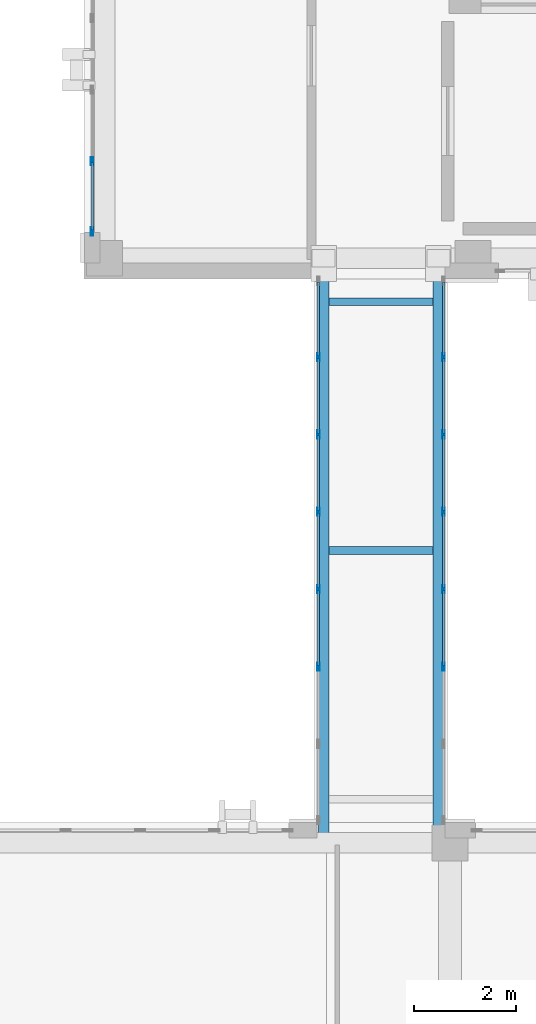
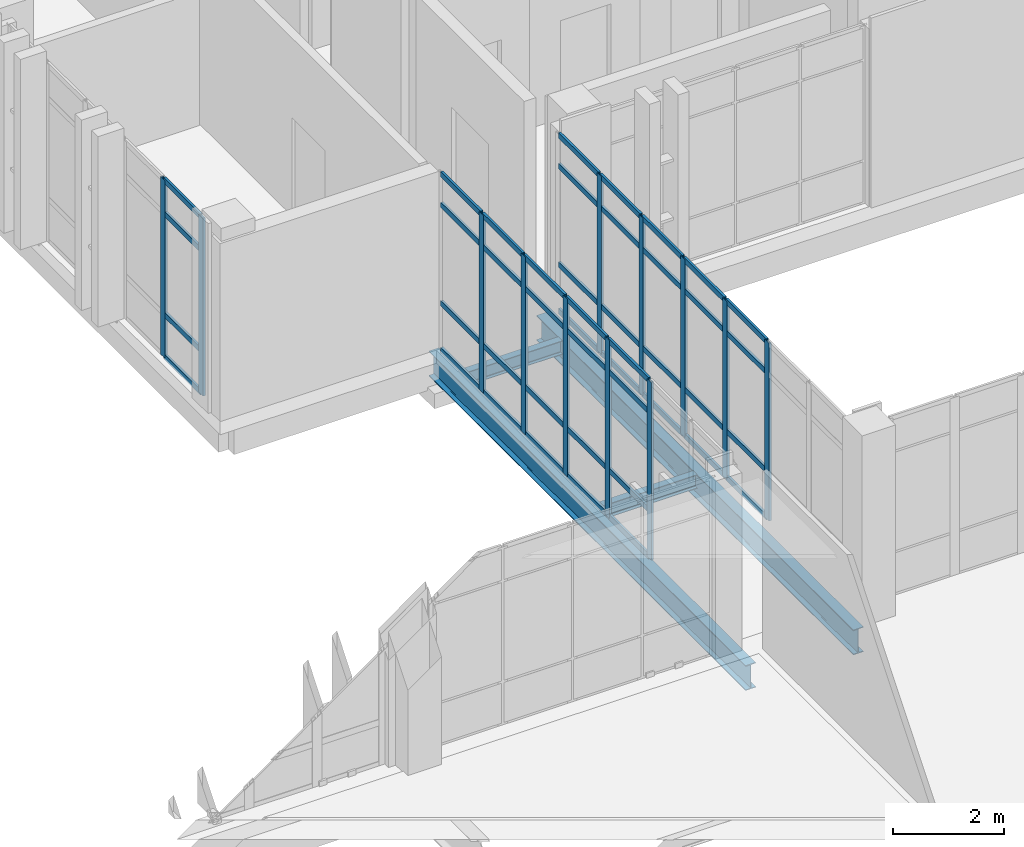
# One storey, part 59 of 193: 56 members, 4 beams, 3 elements without a shape of their own.
"""IFC4 building model written with IfcOpenShell, lengths in metres."""

import ifcopenshell
import ifcopenshell.guid

model = None  # the IFC model being written
_history = None  # IfcOwnerHistory: only IFC2X3 demands one
_inside = {}  # id of a spatial element -> (the spatial element, [elements in it])
_under = {}  # id of a project, library or spatial element -> (it, [spatial elements below it])
_declared = {}  # id of a project -> (the project, [libraries it declares])
_typed = {}  # id of a type object -> (the type object, [elements of that type])
_made_of = {}  # id of a material, layer set ... -> (it, [elements and type objects made of it])


def new_model(schema):
    """Start an empty IFC model of exactly this schema.

    Asked for "IFC4X3", IfcOpenShell would pick the latest addendum, in which some entities
    have other attributes; the version numbers below select the first issue.
    IFC2X3 requires an IfcOwnerHistory on every rooted entity: one is made here for all.
    """
    global model, _history
    if schema == "IFC4X3":
        model = ifcopenshell.file(schema_version=(4, 3, 0, 0))
    else:
        model = ifcopenshell.file(schema=schema)
    _inside.clear()
    _under.clear()
    _declared.clear()
    _typed.clear()
    _made_of.clear()
    _history = None
    if model.schema == "IFC2X3":
        org = make("IfcOrganization", Name="unknown")
        user = make(
            "IfcPersonAndOrganization",
            ThePerson=make("IfcPerson", FamilyName="unknown"),
            TheOrganization=org,
        )
        app = make(
            "IfcApplication",
            ApplicationDeveloper=org,
            Version="unknown",
            ApplicationFullName="unknown",
            ApplicationIdentifier="unknown",
        )
        _history = make(
            "IfcOwnerHistory",
            OwningUser=user,
            OwningApplication=app,
            ChangeAction="ADDED",
            CreationDate=0,
        )
    return model


def make(cls, **values):
    """One entity of the class cls with the attributes given. An attribute that is None is left unset."""
    return model.create_entity(
        cls, **{name: value for name, value in values.items() if value is not None}
    )


def rooted(cls, **values):
    """An entity with a GlobalId (a new one), such as an element, a storey or a relation."""
    return make(cls, GlobalId=ifcopenshell.guid.new(), OwnerHistory=_history, **values)


def si_unit(unit_type, name, prefix=None):
    """IfcSIUnit, for example si_unit("LENGTHUNIT", "METRE", prefix="MILLI")."""
    return make("IfcSIUnit", UnitType=unit_type, Prefix=prefix, Name=name)


def assignment(units):
    """IfcUnitAssignment: the units of a project."""
    return None if units is None else make("IfcUnitAssignment", Units=units)


def point(xyz):
    """IfcCartesianPoint."""
    return None if xyz is None else make("IfcCartesianPoint", Coordinates=xyz)


def direction(xyz):
    """IfcDirection."""
    return None if xyz is None else make("IfcDirection", DirectionRatios=xyz)


def frame(location, z_axis=None, x_axis=None):
    """IfcAxis2Placement3D, a coordinate frame: its origin and axes. An axis left out is left unset."""
    return make(
        "IfcAxis2Placement3D",
        Location=point(location),
        Axis=direction(z_axis),
        RefDirection=direction(x_axis),
    )


def frame_2d(location, x_axis=None):
    """IfcAxis2Placement2D, a coordinate frame in the plane: its origin and x axis."""
    return make(
        "IfcAxis2Placement2D", Location=point(location), RefDirection=direction(x_axis)
    )


def origin():
    """The frame at (0, 0, 0) with its axes left unset."""
    return frame((0.0, 0.0, 0.0))


def origin_2d():
    """The frame at (0, 0) in the plane with its x axis left unset."""
    return frame_2d((0.0, 0.0))


def place(relative_to, where):
    """IfcLocalPlacement: puts the frame where relative to a parent placement (None: the world)."""
    return make(
        "IfcLocalPlacement", PlacementRelTo=relative_to, RelativePlacement=where
    )


def context(
    kind, dimensions, precision=None, world=None, true_north=None, identifier=None
):
    """IfcGeometricRepresentationContext, for example the 3D "Model" context."""
    return make(
        "IfcGeometricRepresentationContext",
        ContextIdentifier=identifier,
        ContextType=kind,
        CoordinateSpaceDimension=dimensions,
        Precision=precision,
        WorldCoordinateSystem=world,
        TrueNorth=true_north,
    )


def subcontext(parent, identifier, kind, view, scale=None):
    """IfcGeometricRepresentationSubContext, for example "Body" below "Model"."""
    return make(
        "IfcGeometricRepresentationSubContext",
        ContextIdentifier=identifier,
        ContextType=kind,
        ParentContext=parent,
        TargetScale=scale,
        TargetView=view,
    )


def project(units=None, contexts=None):
    """IfcProject with its units and contexts."""
    return rooted(
        "IfcProject",
        Name="project",
        RepresentationContexts=contexts,
        UnitsInContext=assignment(units),
    )


def spatial(cls, under=None, at=None, **own):
    """A site, building, storey or space (cls), placed at a placement, below another one or the project."""
    s = rooted(cls, ObjectPlacement=at, **own)
    if under is not None:
        _under.setdefault(under.id(), (under, []))[1].append(s)
    return s


def profile(cls, at=None, kind="AREA", **sizes):
    """A parametric profile (cls). Its sizes go by their IFC names, for example OverallWidth=200.0."""
    return make(cls, ProfileType=kind, Position=at, **sizes)


def hollow_rectangle(**sizes):
    """IfcRectangleHollowProfileDef."""
    return profile("IfcRectangleHollowProfileDef", **sizes)


def i_section(**sizes):
    """IfcIShapeProfileDef."""
    return profile("IfcIShapeProfileDef", **sizes)


def extrude(swept, where, along, depth):
    """IfcExtrudedAreaSolid: the profile swept, set in the frame where, extruded along a direction by depth."""
    return make(
        "IfcExtrudedAreaSolid",
        SweptArea=swept,
        Position=where,
        ExtrudedDirection=direction(along),
        Depth=depth,
    )


def shape(context_of_items, identifier, shape_type, items):
    """IfcShapeRepresentation: the items that make up one representation, for example the "Body"."""
    return make(
        "IfcShapeRepresentation",
        ContextOfItems=context_of_items,
        RepresentationIdentifier=identifier,
        RepresentationType=shape_type,
        Items=items,
    )


def material(Name=None, Category=None):
    """IfcMaterial."""
    return make("IfcMaterial", Name=Name, Category=Category)


def layer(
    of_material, thickness, ventilated=None, Name=None, Category=None, Priority=None
):
    """IfcMaterialLayer: one layer of a wall or slab, of a material (None: an air gap)."""
    return make(
        "IfcMaterialLayer",
        Material=of_material,
        LayerThickness=thickness,
        IsVentilated=ventilated,
        Name=Name,
        Category=Category,
        Priority=Priority,
    )


def layer_set(layers, Name=None):
    """IfcMaterialLayerSet."""
    return make("IfcMaterialLayerSet", MaterialLayers=layers, LayerSetName=Name)


def material_profile(
    of_material, cross_section, Name=None, Category=None, Priority=None
):
    """IfcMaterialProfile: a cross section and its material."""
    return make(
        "IfcMaterialProfile",
        Name=Name,
        Material=of_material,
        Profile=cross_section,
        Priority=Priority,
        Category=Category,
    )


def profile_set(profiles, Name=None, composite=None):
    """IfcMaterialProfileSet."""
    return make(
        "IfcMaterialProfileSet",
        Name=Name,
        MaterialProfiles=profiles,
        CompositeProfile=composite,
    )


def made_of(thing, what):
    """Note that an element or type object is made of a material, layer set ...; save() writes the relation."""
    if what is not None:
        _made_of.setdefault(what.id(), (what, []))[1].append(thing)
    return thing


def type_object(cls, material=None, **own):
    """A type object (cls), such as IfcWallType, which elements share."""
    return made_of(rooted(cls, **own), material)


def element(
    cls,
    number,
    at=None,
    inside=None,
    cuts=None,
    type_object=None,
    material=None,
    context=None,
    identifier="Body",
    shape_type=None,
    held_by="IfcProductDefinitionShape",
    body=None,
    shapes=None,
    **own,
):
    """One element of the class cls, such as IfcWall. Its Tag is "e" and its number.

    at: its placement. inside: the storey or other place that contains it. cuts: it is an
    opening in that element (IfcRelVoidsElement). A single representation is given by context,
    identifier, shape_type and body (its items); several are given by shapes. held_by: the class
    of the entity that holds the representations. save() writes the other relations.
    """
    e = rooted(cls, Tag="e%d" % number, ObjectPlacement=at, **own)
    if body is not None:
        shapes = [shape(context, identifier, shape_type, body)]
    if shapes is not None:
        e.Representation = make(held_by, Representations=shapes)
    if inside is not None:
        _inside.setdefault(inside.id(), (inside, []))[1].append(e)
    if cuts is not None:
        rooted(
            "IfcRelVoidsElement", RelatingBuildingElement=cuts, RelatedOpeningElement=e
        )
    if type_object is not None:
        _typed.setdefault(type_object.id(), (type_object, []))[1].append(e)
    return made_of(e, material)


def aggregate(whole, parts):
    """IfcRelAggregates: a whole, such as a stair, and the parts it consists of."""
    return rooted("IfcRelAggregates", RelatingObject=whole, RelatedObjects=parts)


def save(model, path):
    """Write the relations noted so far, then the file.

    IfcRelAggregates (storeys below a building ...), IfcRelContainedInSpatialStructure (elements
    in a storey), IfcRelDefinesByType, IfcRelAssociatesMaterial and IfcRelDeclares: one each for
    every whole, place, type object, material and project.
    """
    for whole, parts in _under.values():
        aggregate(whole, parts)
    for where, things in _inside.values():
        rooted(
            "IfcRelContainedInSpatialStructure",
            RelatedElements=things,
            RelatingStructure=where,
        )
    for kind, things in _typed.values():
        rooted("IfcRelDefinesByType", RelatedObjects=things, RelatingType=kind)
    for what, things in _made_of.values():
        rooted("IfcRelAssociatesMaterial", RelatedObjects=things, RelatingMaterial=what)
    for by, libraries in _declared.values():
        rooted("IfcRelDeclares", RelatingContext=by, RelatedDefinitions=libraries)
    model.write(path)


model = new_model("IFC4")

# Units and contexts
model_context = context("Model", 3, precision=1e-05, world=origin(), true_north=direction((0.0, 1.0)))
body_context = subcontext(model_context, "Body", "Model", "MODEL_VIEW")
ifc_project = project(units=[si_unit("LENGTHUNIT", "METRE"), si_unit("AREAUNIT", "SQUARE_METRE"), si_unit("VOLUMEUNIT", "CUBIC_METRE"), si_unit("PLANEANGLEUNIT", "RADIAN"), si_unit("MASSUNIT", "GRAM", prefix="KILO")], contexts=[model_context])

# Site, building, storey
site_placement = place(None, origin())
site = spatial("IfcSite", under=ifc_project, at=site_placement, CompositionType="ELEMENT")
building_placement = place(site_placement, origin())
building = spatial("IfcBuilding", under=site, at=building_placement, Name="Qalavern Law Courts", CompositionType="ELEMENT")
storey_placement = place(building_placement, frame((0.0, 0.0, 10.199951171875)))
storey = spatial("IfcBuildingStorey", under=building, at=storey_placement, Name="L02", CompositionType="ELEMENT", Elevation=10.199951171875)

# Curtain wall, members
ifc_material_1 = material(Name="Anodised aluminium and insulated glazing", Category="aluminium")
ifc_layer_1 = layer(ifc_material_1, 0.172119140625)
ifc_layer_set_1 = layer_set([ifc_layer_1], Name="Anodised aluminium and insulated glazing")
curtain_wall_type_1 = type_object("IfcCurtainWallType", Name="ENV-CW-COURT", PredefinedType="USERDEFINED", material=ifc_layer_set_1)
curtain_wall_1_placement = place(storey_placement, origin())
curtain_wall_1 = element("IfcCurtainWall", 1, at=curtain_wall_1_placement, inside=storey, type_object=curtain_wall_type_1, Name="V4 unitised curtain wall L02 west 6", ObjectType="UNITISED CURTAIN WALL", PredefinedType="USERDEFINED")
ifc_material_2 = material(Name="Anodised aluminium", Category="aluminium")
ifc_material_profile_1 = material_profile(ifc_material_2, hollow_rectangle(XDim=0.048095703125, YDim=0.159912109375, WallThickness=0.00390625, at=origin_2d()), Name="ALU MULLION 48x160")
ifc_profile_set_1 = profile_set([ifc_material_profile_1], Name="Anodised aluminium")
member_type_1 = type_object("IfcMemberType", Name="ENV-CWM-48x160", PredefinedType="MULLION", material=ifc_profile_set_1)
member_1_placement = place(storey_placement, frame((84.35498046875, 43.31591796875, 0.0), z_axis=(0.0, 0.0, 1.0), x_axis=(1.0, 0.0, 0.0)))
member_1 = element("IfcMember", 2, at=member_1_placement, type_object=member_type_1, Name="CW-03 mullion 5", PredefinedType="MULLION", context=body_context, shape_type="SweptSolid", body=[
    extrude(hollow_rectangle(XDim=0.048095703125, YDim=0.159912109375, WallThickness=0.00390625, at=origin_2d()), origin(), (0.0, 0.0, 1.0), 3.9150390625),
])
member_2_placement = place(storey_placement, frame((84.35498046875, 41.944091796875, 0.0), z_axis=(0.0, 0.0, 1.0), x_axis=(1.0, 0.0, 0.0)))
member_2 = element("IfcMember", 3, at=member_2_placement, type_object=member_type_1, Name="CW-03 mullion 6", PredefinedType="MULLION", context=body_context, shape_type="SweptSolid", body=[
    extrude(hollow_rectangle(XDim=0.048095703125, YDim=0.159912109375, WallThickness=0.00390625, at=origin_2d()), origin(), (0.0, 0.0, 1.0), 3.9150390625),
])

ifc_layer_2 = layer(ifc_material_1, 0.14990234375)
ifc_layer_set_2 = layer_set([ifc_layer_2], Name="Anodised aluminium and insulated glazing")
curtain_wall_type_2 = type_object("IfcCurtainWallType", Name="ENV-CW-BRG", PredefinedType="USERDEFINED", material=ifc_layer_set_2)
curtain_wall_2_placement = place(storey_placement, origin())
curtain_wall_2 = element("IfcCurtainWall", 4, at=curtain_wall_2_placement, inside=storey, type_object=curtain_wall_type_2, Name="Bridge BR-V2-V4 glazed curtain wall L02-1", ObjectType="UNITISED CURTAIN WALL", PredefinedType="USERDEFINED")
member_3_placement = place(storey_placement, frame((88.77490234375, 39.488525390625, 0.0), z_axis=(0.0, 0.0, 1.0), x_axis=(1.0, 0.0, 0.0)))
member_3 = element("IfcMember", 5, at=member_3_placement, type_object=member_type_1, Name="CW-06 mullion 2", PredefinedType="MULLION", context=body_context, shape_type="SweptSolid", body=[
    extrude(hollow_rectangle(XDim=0.048095703125, YDim=0.159912109375, WallThickness=0.00390625, at=origin_2d()), origin(), (0.0, 0.0, 1.0), 3.9150390625),
])
member_4_placement = place(storey_placement, frame((88.77490234375, 37.97705078125, 0.0), z_axis=(0.0, 0.0, 1.0), x_axis=(1.0, 0.0, 0.0)))
member_4 = element("IfcMember", 6, at=member_4_placement, type_object=member_type_1, Name="CW-06 mullion 3", PredefinedType="MULLION", context=body_context, shape_type="SweptSolid", body=[
    extrude(hollow_rectangle(XDim=0.048095703125, YDim=0.159912109375, WallThickness=0.00390625, at=origin_2d()), origin(), (0.0, 0.0, 1.0), 3.9150390625),
])
member_5_placement = place(storey_placement, frame((88.77490234375, 36.4658203125, 0.0), z_axis=(0.0, 0.0, 1.0), x_axis=(1.0, 0.0, 0.0)))
member_5 = element("IfcMember", 7, at=member_5_placement, type_object=member_type_1, Name="CW-06 mullion 4", PredefinedType="MULLION", context=body_context, shape_type="SweptSolid", body=[
    extrude(hollow_rectangle(XDim=0.048095703125, YDim=0.159912109375, WallThickness=0.00390625, at=origin_2d()), origin(), (0.0, 0.0, 1.0), 3.9150390625),
])
member_6_placement = place(storey_placement, frame((88.77490234375, 34.954345703125, 0.0), z_axis=(0.0, 0.0, 1.0), x_axis=(1.0, 0.0, 0.0)))
member_6 = element("IfcMember", 8, at=member_6_placement, type_object=member_type_1, Name="CW-06 mullion 5", PredefinedType="MULLION", context=body_context, shape_type="SweptSolid", body=[
    extrude(hollow_rectangle(XDim=0.048095703125, YDim=0.159912109375, WallThickness=0.00390625, at=origin_2d()), origin(), (0.0, 0.0, 1.0), 3.9150390625),
])
member_7_placement = place(storey_placement, frame((88.77490234375, 33.44287109375, 0.0), z_axis=(0.0, 0.0, 1.0), x_axis=(1.0, 0.0, 0.0)))
member_7 = element("IfcMember", 9, at=member_7_placement, type_object=member_type_1, Name="CW-06 mullion 6", PredefinedType="MULLION", context=body_context, shape_type="SweptSolid", body=[
    extrude(hollow_rectangle(XDim=0.048095703125, YDim=0.159912109375, WallThickness=0.00390625, at=origin_2d()), origin(), (0.0, 0.0, 1.0), 3.9150390625),
])

curtain_wall_3_placement = place(storey_placement, origin())
curtain_wall_3 = element("IfcCurtainWall", 10, at=curtain_wall_3_placement, inside=storey, type_object=curtain_wall_type_2, Name="Bridge BR-V2-V4 glazed curtain wall L02-2", ObjectType="UNITISED CURTAIN WALL", PredefinedType="USERDEFINED")
member_8_placement = place(storey_placement, frame((91.22509765625, 33.44287109375, 0.0), z_axis=(0.0, 0.0, 1.0), x_axis=(-1.0, 0.0, 0.0)))
member_8 = element("IfcMember", 11, at=member_8_placement, type_object=member_type_1, Name="CW-06 mullion 3", PredefinedType="MULLION", context=body_context, shape_type="SweptSolid", body=[
    extrude(hollow_rectangle(XDim=0.048095703125, YDim=0.159912109375, WallThickness=0.00390625, at=origin_2d()), origin(), (0.0, 0.0, 1.0), 3.9150390625),
])
member_9_placement = place(storey_placement, frame((91.22509765625, 34.954345703125, 0.0), z_axis=(0.0, 0.0, 1.0), x_axis=(-1.0, 0.0, 0.0)))
member_9 = element("IfcMember", 12, at=member_9_placement, type_object=member_type_1, Name="CW-06 mullion 4", PredefinedType="MULLION", context=body_context, shape_type="SweptSolid", body=[
    extrude(hollow_rectangle(XDim=0.048095703125, YDim=0.159912109375, WallThickness=0.00390625, at=origin_2d()), origin(), (0.0, 0.0, 1.0), 3.9150390625),
])
member_10_placement = place(storey_placement, frame((91.22509765625, 36.4658203125, 0.0), z_axis=(0.0, 0.0, 1.0), x_axis=(-1.0, 0.0, 0.0)))
member_10 = element("IfcMember", 13, at=member_10_placement, type_object=member_type_1, Name="CW-06 mullion 5", PredefinedType="MULLION", context=body_context, shape_type="SweptSolid", body=[
    extrude(hollow_rectangle(XDim=0.048095703125, YDim=0.159912109375, WallThickness=0.00390625, at=origin_2d()), origin(), (0.0, 0.0, 1.0), 3.9150390625),
])
member_11_placement = place(storey_placement, frame((91.22509765625, 37.97705078125, 0.0), z_axis=(0.0, 0.0, 1.0), x_axis=(-1.0, 0.0, 0.0)))
member_11 = element("IfcMember", 14, at=member_11_placement, type_object=member_type_1, Name="CW-06 mullion 6", PredefinedType="MULLION", context=body_context, shape_type="SweptSolid", body=[
    extrude(hollow_rectangle(XDim=0.048095703125, YDim=0.159912109375, WallThickness=0.00390625, at=origin_2d()), origin(), (0.0, 0.0, 1.0), 3.9150390625),
])
member_12_placement = place(storey_placement, frame((91.22509765625, 39.488525390625, 0.0), z_axis=(0.0, 0.0, 1.0), x_axis=(-1.0, 0.0, 0.0)))
member_12 = element("IfcMember", 15, at=member_12_placement, type_object=member_type_1, Name="CW-06 mullion 7", PredefinedType="MULLION", context=body_context, shape_type="SweptSolid", body=[
    extrude(hollow_rectangle(XDim=0.048095703125, YDim=0.159912109375, WallThickness=0.00390625, at=origin_2d()), origin(), (0.0, 0.0, 1.0), 3.9150390625),
])

# Member
ifc_material_profile_2 = material_profile(ifc_material_2, hollow_rectangle(XDim=0.048095703125, YDim=0.1201171875, WallThickness=0.00390625, at=origin_2d()), Name="ALU TRANSOM 48x120")
ifc_profile_set_2 = profile_set([ifc_material_profile_2], Name="Anodised aluminium")
member_type_2 = type_object("IfcMemberType", Name="ENV-CWT-48x120", PredefinedType="USERDEFINED", material=ifc_profile_set_2)
member_13_placement = place(storey_placement, frame((84.35498046875, 43.2919921875, 0.024169921875), z_axis=(0.0, -1.0, 0.0), x_axis=(1.0, 0.0, 0.0)))
member_13 = element("IfcMember", 16, at=member_13_placement, type_object=member_type_2, Name="CW-03 transom 5.1", ObjectType="TRANSOM", PredefinedType="USERDEFINED", context=body_context, shape_type="SweptSolid", body=[
    extrude(hollow_rectangle(XDim=0.048095703125, YDim=0.1201171875, WallThickness=0.00390625, at=origin_2d()), origin(), (0.0, 0.0, 1.0), 1.323974609375),
])

member_14_placement = place(storey_placement, frame((84.35498046875, 43.2919921875, 0.949951171875), z_axis=(0.0, -1.0, 0.0), x_axis=(1.0, 0.0, 0.0)))
member_14 = element("IfcMember", 17, at=member_14_placement, type_object=member_type_2, Name="CW-03 transom 5.2", ObjectType="TRANSOM", PredefinedType="USERDEFINED", context=body_context, shape_type="SweptSolid", body=[
    extrude(hollow_rectangle(XDim=0.048095703125, YDim=0.1201171875, WallThickness=0.00390625, at=origin_2d()), origin(), (0.0, 0.0, 1.0), 1.323974609375),
])

member_15_placement = place(storey_placement, frame((84.35498046875, 43.2919921875, 3.1650390625), z_axis=(0.0, -1.0, 0.0), x_axis=(1.0, 0.0, 0.0)))
member_15 = element("IfcMember", 18, at=member_15_placement, type_object=member_type_2, Name="CW-03 transom 5.3", ObjectType="TRANSOM", PredefinedType="USERDEFINED", context=body_context, shape_type="SweptSolid", body=[
    extrude(hollow_rectangle(XDim=0.048095703125, YDim=0.1201171875, WallThickness=0.00390625, at=origin_2d()), origin(), (0.0, 0.0, 1.0), 1.323974609375),
])

member_16_placement = place(storey_placement, frame((84.35498046875, 43.2919921875, 3.89111328125), z_axis=(0.0, -1.0, 0.0), x_axis=(1.0, 0.0, 0.0)))
member_16 = element("IfcMember", 19, at=member_16_placement, type_object=member_type_2, Name="CW-03 transom 5.4", ObjectType="TRANSOM", PredefinedType="USERDEFINED", context=body_context, shape_type="SweptSolid", body=[
    extrude(hollow_rectangle(XDim=0.048095703125, YDim=0.1201171875, WallThickness=0.00390625, at=origin_2d()), origin(), (0.0, 0.0, 1.0), 1.323974609375),
])

aggregate(curtain_wall_1, [member_1, member_2, member_13, member_14, member_15, member_16])

member_17_placement = place(storey_placement, frame((88.77490234375, 40.951904296875, 0.024169921875), z_axis=(0.0, -1.0, 0.0), x_axis=(1.0, 0.0, 0.0)))
member_17 = element("IfcMember", 20, at=member_17_placement, type_object=member_type_2, Name="CW-06 transom 1.1", ObjectType="TRANSOM", PredefinedType="USERDEFINED", context=body_context, shape_type="SweptSolid", body=[
    extrude(hollow_rectangle(XDim=0.048095703125, YDim=0.1201171875, WallThickness=0.00390625, at=origin_2d()), origin(), (0.0, 0.0, 1.0), 1.439453125),
])

member_18_placement = place(storey_placement, frame((88.77490234375, 40.951904296875, 1.050048828125), z_axis=(0.0, -1.0, 0.0), x_axis=(1.0, 0.0, 0.0)))
member_18 = element("IfcMember", 21, at=member_18_placement, type_object=member_type_2, Name="CW-06 transom 1.2", ObjectType="TRANSOM", PredefinedType="USERDEFINED", context=body_context, shape_type="SweptSolid", body=[
    extrude(hollow_rectangle(XDim=0.048095703125, YDim=0.1201171875, WallThickness=0.00390625, at=origin_2d()), origin(), (0.0, 0.0, 1.0), 1.439453125),
])

member_19_placement = place(storey_placement, frame((88.77490234375, 40.951904296875, 3.215087890625), z_axis=(0.0, -1.0, 0.0), x_axis=(1.0, 0.0, 0.0)))
member_19 = element("IfcMember", 22, at=member_19_placement, type_object=member_type_2, Name="CW-06 transom 1.3", ObjectType="TRANSOM", PredefinedType="USERDEFINED", context=body_context, shape_type="SweptSolid", body=[
    extrude(hollow_rectangle(XDim=0.048095703125, YDim=0.1201171875, WallThickness=0.00390625, at=origin_2d()), origin(), (0.0, 0.0, 1.0), 1.439453125),
])

member_20_placement = place(storey_placement, frame((88.77490234375, 40.951904296875, 3.89111328125), z_axis=(0.0, -1.0, 0.0), x_axis=(1.0, 0.0, 0.0)))
member_20 = element("IfcMember", 23, at=member_20_placement, type_object=member_type_2, Name="CW-06 transom 1.4", ObjectType="TRANSOM", PredefinedType="USERDEFINED", context=body_context, shape_type="SweptSolid", body=[
    extrude(hollow_rectangle(XDim=0.048095703125, YDim=0.1201171875, WallThickness=0.00390625, at=origin_2d()), origin(), (0.0, 0.0, 1.0), 1.439453125),
])

member_21_placement = place(storey_placement, frame((88.77490234375, 39.464599609375, 0.024169921875), z_axis=(0.0, -1.0, 0.0), x_axis=(1.0, 0.0, 0.0)))
member_21 = element("IfcMember", 24, at=member_21_placement, type_object=member_type_2, Name="CW-06 transom 2.1", ObjectType="TRANSOM", PredefinedType="USERDEFINED", context=body_context, shape_type="SweptSolid", body=[
    extrude(hollow_rectangle(XDim=0.048095703125, YDim=0.1201171875, WallThickness=0.00390625, at=origin_2d()), origin(), (0.0, 0.0, 1.0), 1.46337890625),
])

member_22_placement = place(storey_placement, frame((88.77490234375, 39.464599609375, 1.050048828125), z_axis=(0.0, -1.0, 0.0), x_axis=(1.0, 0.0, 0.0)))
member_22 = element("IfcMember", 25, at=member_22_placement, type_object=member_type_2, Name="CW-06 transom 2.2", ObjectType="TRANSOM", PredefinedType="USERDEFINED", context=body_context, shape_type="SweptSolid", body=[
    extrude(hollow_rectangle(XDim=0.048095703125, YDim=0.1201171875, WallThickness=0.00390625, at=origin_2d()), origin(), (0.0, 0.0, 1.0), 1.46337890625),
])

member_23_placement = place(storey_placement, frame((88.77490234375, 39.464599609375, 3.215087890625), z_axis=(0.0, -1.0, 0.0), x_axis=(1.0, 0.0, 0.0)))
member_23 = element("IfcMember", 26, at=member_23_placement, type_object=member_type_2, Name="CW-06 transom 2.3", ObjectType="TRANSOM", PredefinedType="USERDEFINED", context=body_context, shape_type="SweptSolid", body=[
    extrude(hollow_rectangle(XDim=0.048095703125, YDim=0.1201171875, WallThickness=0.00390625, at=origin_2d()), origin(), (0.0, 0.0, 1.0), 1.46337890625),
])

member_24_placement = place(storey_placement, frame((88.77490234375, 39.464599609375, 3.89111328125), z_axis=(0.0, -1.0, 0.0), x_axis=(1.0, 0.0, 0.0)))
member_24 = element("IfcMember", 27, at=member_24_placement, type_object=member_type_2, Name="CW-06 transom 2.4", ObjectType="TRANSOM", PredefinedType="USERDEFINED", context=body_context, shape_type="SweptSolid", body=[
    extrude(hollow_rectangle(XDim=0.048095703125, YDim=0.1201171875, WallThickness=0.00390625, at=origin_2d()), origin(), (0.0, 0.0, 1.0), 1.46337890625),
])

member_25_placement = place(storey_placement, frame((88.77490234375, 37.953125, 0.024169921875), z_axis=(0.0, -1.0, 0.0), x_axis=(1.0, 0.0, 0.0)))
member_25 = element("IfcMember", 28, at=member_25_placement, type_object=member_type_2, Name="CW-06 transom 3.1", ObjectType="TRANSOM", PredefinedType="USERDEFINED", context=body_context, shape_type="SweptSolid", body=[
    extrude(hollow_rectangle(XDim=0.048095703125, YDim=0.1201171875, WallThickness=0.00390625, at=origin_2d()), origin(), (0.0, 0.0, 1.0), 1.46337890625),
])

member_26_placement = place(storey_placement, frame((88.77490234375, 37.953125, 1.050048828125), z_axis=(0.0, -1.0, 0.0), x_axis=(1.0, 0.0, 0.0)))
member_26 = element("IfcMember", 29, at=member_26_placement, type_object=member_type_2, Name="CW-06 transom 3.2", ObjectType="TRANSOM", PredefinedType="USERDEFINED", context=body_context, shape_type="SweptSolid", body=[
    extrude(hollow_rectangle(XDim=0.048095703125, YDim=0.1201171875, WallThickness=0.00390625, at=origin_2d()), origin(), (0.0, 0.0, 1.0), 1.46337890625),
])

member_27_placement = place(storey_placement, frame((88.77490234375, 37.953125, 3.215087890625), z_axis=(0.0, -1.0, 0.0), x_axis=(1.0, 0.0, 0.0)))
member_27 = element("IfcMember", 30, at=member_27_placement, type_object=member_type_2, Name="CW-06 transom 3.3", ObjectType="TRANSOM", PredefinedType="USERDEFINED", context=body_context, shape_type="SweptSolid", body=[
    extrude(hollow_rectangle(XDim=0.048095703125, YDim=0.1201171875, WallThickness=0.00390625, at=origin_2d()), origin(), (0.0, 0.0, 1.0), 1.46337890625),
])

member_28_placement = place(storey_placement, frame((88.77490234375, 37.953125, 3.89111328125), z_axis=(0.0, -1.0, 0.0), x_axis=(1.0, 0.0, 0.0)))
member_28 = element("IfcMember", 31, at=member_28_placement, type_object=member_type_2, Name="CW-06 transom 3.4", ObjectType="TRANSOM", PredefinedType="USERDEFINED", context=body_context, shape_type="SweptSolid", body=[
    extrude(hollow_rectangle(XDim=0.048095703125, YDim=0.1201171875, WallThickness=0.00390625, at=origin_2d()), origin(), (0.0, 0.0, 1.0), 1.46337890625),
])

member_29_placement = place(storey_placement, frame((88.77490234375, 36.441650390625, 0.024169921875), z_axis=(0.0, -1.0, 0.0), x_axis=(1.0, 0.0, 0.0)))
member_29 = element("IfcMember", 32, at=member_29_placement, type_object=member_type_2, Name="CW-06 transom 4.1", ObjectType="TRANSOM", PredefinedType="USERDEFINED", context=body_context, shape_type="SweptSolid", body=[
    extrude(hollow_rectangle(XDim=0.048095703125, YDim=0.1201171875, WallThickness=0.00390625, at=origin_2d()), origin(), (0.0, 0.0, 1.0), 1.46337890625),
])

member_30_placement = place(storey_placement, frame((88.77490234375, 36.441650390625, 1.050048828125), z_axis=(0.0, -1.0, 0.0), x_axis=(1.0, 0.0, 0.0)))
member_30 = element("IfcMember", 33, at=member_30_placement, type_object=member_type_2, Name="CW-06 transom 4.2", ObjectType="TRANSOM", PredefinedType="USERDEFINED", context=body_context, shape_type="SweptSolid", body=[
    extrude(hollow_rectangle(XDim=0.048095703125, YDim=0.1201171875, WallThickness=0.00390625, at=origin_2d()), origin(), (0.0, 0.0, 1.0), 1.46337890625),
])

member_31_placement = place(storey_placement, frame((88.77490234375, 36.441650390625, 3.215087890625), z_axis=(0.0, -1.0, 0.0), x_axis=(1.0, 0.0, 0.0)))
member_31 = element("IfcMember", 34, at=member_31_placement, type_object=member_type_2, Name="CW-06 transom 4.3", ObjectType="TRANSOM", PredefinedType="USERDEFINED", context=body_context, shape_type="SweptSolid", body=[
    extrude(hollow_rectangle(XDim=0.048095703125, YDim=0.1201171875, WallThickness=0.00390625, at=origin_2d()), origin(), (0.0, 0.0, 1.0), 1.46337890625),
])

member_32_placement = place(storey_placement, frame((88.77490234375, 36.441650390625, 3.89111328125), z_axis=(0.0, -1.0, 0.0), x_axis=(1.0, 0.0, 0.0)))
member_32 = element("IfcMember", 35, at=member_32_placement, type_object=member_type_2, Name="CW-06 transom 4.4", ObjectType="TRANSOM", PredefinedType="USERDEFINED", context=body_context, shape_type="SweptSolid", body=[
    extrude(hollow_rectangle(XDim=0.048095703125, YDim=0.1201171875, WallThickness=0.00390625, at=origin_2d()), origin(), (0.0, 0.0, 1.0), 1.46337890625),
])

member_33_placement = place(storey_placement, frame((88.77490234375, 34.93017578125, 0.024169921875), z_axis=(0.0, -1.0, 0.0), x_axis=(1.0, 0.0, 0.0)))
member_33 = element("IfcMember", 36, at=member_33_placement, type_object=member_type_2, Name="CW-06 transom 5.1", ObjectType="TRANSOM", PredefinedType="USERDEFINED", context=body_context, shape_type="SweptSolid", body=[
    extrude(hollow_rectangle(XDim=0.048095703125, YDim=0.1201171875, WallThickness=0.00390625, at=origin_2d()), origin(), (0.0, 0.0, 1.0), 1.46337890625),
])

member_34_placement = place(storey_placement, frame((88.77490234375, 34.93017578125, 1.050048828125), z_axis=(0.0, -1.0, 0.0), x_axis=(1.0, 0.0, 0.0)))
member_34 = element("IfcMember", 37, at=member_34_placement, type_object=member_type_2, Name="CW-06 transom 5.2", ObjectType="TRANSOM", PredefinedType="USERDEFINED", context=body_context, shape_type="SweptSolid", body=[
    extrude(hollow_rectangle(XDim=0.048095703125, YDim=0.1201171875, WallThickness=0.00390625, at=origin_2d()), origin(), (0.0, 0.0, 1.0), 1.46337890625),
])

member_35_placement = place(storey_placement, frame((88.77490234375, 34.93017578125, 3.215087890625), z_axis=(0.0, -1.0, 0.0), x_axis=(1.0, 0.0, 0.0)))
member_35 = element("IfcMember", 38, at=member_35_placement, type_object=member_type_2, Name="CW-06 transom 5.3", ObjectType="TRANSOM", PredefinedType="USERDEFINED", context=body_context, shape_type="SweptSolid", body=[
    extrude(hollow_rectangle(XDim=0.048095703125, YDim=0.1201171875, WallThickness=0.00390625, at=origin_2d()), origin(), (0.0, 0.0, 1.0), 1.46337890625),
])

member_36_placement = place(storey_placement, frame((88.77490234375, 34.93017578125, 3.89111328125), z_axis=(0.0, -1.0, 0.0), x_axis=(1.0, 0.0, 0.0)))
member_36 = element("IfcMember", 39, at=member_36_placement, type_object=member_type_2, Name="CW-06 transom 5.4", ObjectType="TRANSOM", PredefinedType="USERDEFINED", context=body_context, shape_type="SweptSolid", body=[
    extrude(hollow_rectangle(XDim=0.048095703125, YDim=0.1201171875, WallThickness=0.00390625, at=origin_2d()), origin(), (0.0, 0.0, 1.0), 1.46337890625),
])

aggregate(curtain_wall_2, [member_3, member_4, member_5, member_6, member_7, member_17, member_18, member_19, member_20, member_21, member_22, member_23, member_24, member_25, member_26, member_27, member_28, member_29, member_30, member_31, member_32, member_33, member_34, member_35, member_36])

member_37_placement = place(storey_placement, frame((91.22509765625, 33.466796875, 0.024169921875), z_axis=(0.0, 1.0, 0.0), x_axis=(-1.0, 0.0, 0.0)))
member_37 = element("IfcMember", 40, at=member_37_placement, type_object=member_type_2, Name="CW-06 transom 3.1", ObjectType="TRANSOM", PredefinedType="USERDEFINED", context=body_context, shape_type="SweptSolid", body=[
    extrude(hollow_rectangle(XDim=0.048095703125, YDim=0.1201171875, WallThickness=0.00390625, at=origin_2d()), origin(), (0.0, 0.0, 1.0), 1.46337890625),
])

member_38_placement = place(storey_placement, frame((91.22509765625, 33.466796875, 1.050048828125), z_axis=(0.0, 1.0, 0.0), x_axis=(-1.0, 0.0, 0.0)))
member_38 = element("IfcMember", 41, at=member_38_placement, type_object=member_type_2, Name="CW-06 transom 3.2", ObjectType="TRANSOM", PredefinedType="USERDEFINED", context=body_context, shape_type="SweptSolid", body=[
    extrude(hollow_rectangle(XDim=0.048095703125, YDim=0.1201171875, WallThickness=0.00390625, at=origin_2d()), origin(), (0.0, 0.0, 1.0), 1.46337890625),
])

member_39_placement = place(storey_placement, frame((91.22509765625, 33.466796875, 3.215087890625), z_axis=(0.0, 1.0, 0.0), x_axis=(-1.0, 0.0, 0.0)))
member_39 = element("IfcMember", 42, at=member_39_placement, type_object=member_type_2, Name="CW-06 transom 3.3", ObjectType="TRANSOM", PredefinedType="USERDEFINED", context=body_context, shape_type="SweptSolid", body=[
    extrude(hollow_rectangle(XDim=0.048095703125, YDim=0.1201171875, WallThickness=0.00390625, at=origin_2d()), origin(), (0.0, 0.0, 1.0), 1.46337890625),
])

member_40_placement = place(storey_placement, frame((91.22509765625, 33.466796875, 3.89111328125), z_axis=(0.0, 1.0, 0.0), x_axis=(-1.0, 0.0, 0.0)))
member_40 = element("IfcMember", 43, at=member_40_placement, type_object=member_type_2, Name="CW-06 transom 3.4", ObjectType="TRANSOM", PredefinedType="USERDEFINED", context=body_context, shape_type="SweptSolid", body=[
    extrude(hollow_rectangle(XDim=0.048095703125, YDim=0.1201171875, WallThickness=0.00390625, at=origin_2d()), origin(), (0.0, 0.0, 1.0), 1.46337890625),
])

member_41_placement = place(storey_placement, frame((91.22509765625, 34.978271484375, 0.024169921875), z_axis=(0.0, 1.0, 0.0), x_axis=(-1.0, 0.0, 0.0)))
member_41 = element("IfcMember", 44, at=member_41_placement, type_object=member_type_2, Name="CW-06 transom 4.1", ObjectType="TRANSOM", PredefinedType="USERDEFINED", context=body_context, shape_type="SweptSolid", body=[
    extrude(hollow_rectangle(XDim=0.048095703125, YDim=0.1201171875, WallThickness=0.00390625, at=origin_2d()), origin(), (0.0, 0.0, 1.0), 1.46337890625),
])

member_42_placement = place(storey_placement, frame((91.22509765625, 34.978271484375, 1.050048828125), z_axis=(0.0, 1.0, 0.0), x_axis=(-1.0, 0.0, 0.0)))
member_42 = element("IfcMember", 45, at=member_42_placement, type_object=member_type_2, Name="CW-06 transom 4.2", ObjectType="TRANSOM", PredefinedType="USERDEFINED", context=body_context, shape_type="SweptSolid", body=[
    extrude(hollow_rectangle(XDim=0.048095703125, YDim=0.1201171875, WallThickness=0.00390625, at=origin_2d()), origin(), (0.0, 0.0, 1.0), 1.46337890625),
])

member_43_placement = place(storey_placement, frame((91.22509765625, 34.978271484375, 3.215087890625), z_axis=(0.0, 1.0, 0.0), x_axis=(-1.0, 0.0, 0.0)))
member_43 = element("IfcMember", 46, at=member_43_placement, type_object=member_type_2, Name="CW-06 transom 4.3", ObjectType="TRANSOM", PredefinedType="USERDEFINED", context=body_context, shape_type="SweptSolid", body=[
    extrude(hollow_rectangle(XDim=0.048095703125, YDim=0.1201171875, WallThickness=0.00390625, at=origin_2d()), origin(), (0.0, 0.0, 1.0), 1.46337890625),
])

member_44_placement = place(storey_placement, frame((91.22509765625, 34.978271484375, 3.89111328125), z_axis=(0.0, 1.0, 0.0), x_axis=(-1.0, 0.0, 0.0)))
member_44 = element("IfcMember", 47, at=member_44_placement, type_object=member_type_2, Name="CW-06 transom 4.4", ObjectType="TRANSOM", PredefinedType="USERDEFINED", context=body_context, shape_type="SweptSolid", body=[
    extrude(hollow_rectangle(XDim=0.048095703125, YDim=0.1201171875, WallThickness=0.00390625, at=origin_2d()), origin(), (0.0, 0.0, 1.0), 1.46337890625),
])

member_45_placement = place(storey_placement, frame((91.22509765625, 36.48974609375, 0.024169921875), z_axis=(0.0, 1.0, 0.0), x_axis=(-1.0, 0.0, 0.0)))
member_45 = element("IfcMember", 48, at=member_45_placement, type_object=member_type_2, Name="CW-06 transom 5.1", ObjectType="TRANSOM", PredefinedType="USERDEFINED", context=body_context, shape_type="SweptSolid", body=[
    extrude(hollow_rectangle(XDim=0.048095703125, YDim=0.1201171875, WallThickness=0.00390625, at=origin_2d()), origin(), (0.0, 0.0, 1.0), 1.46337890625),
])

member_46_placement = place(storey_placement, frame((91.22509765625, 36.48974609375, 1.050048828125), z_axis=(0.0, 1.0, 0.0), x_axis=(-1.0, 0.0, 0.0)))
member_46 = element("IfcMember", 49, at=member_46_placement, type_object=member_type_2, Name="CW-06 transom 5.2", ObjectType="TRANSOM", PredefinedType="USERDEFINED", context=body_context, shape_type="SweptSolid", body=[
    extrude(hollow_rectangle(XDim=0.048095703125, YDim=0.1201171875, WallThickness=0.00390625, at=origin_2d()), origin(), (0.0, 0.0, 1.0), 1.46337890625),
])

member_47_placement = place(storey_placement, frame((91.22509765625, 36.48974609375, 3.215087890625), z_axis=(0.0, 1.0, 0.0), x_axis=(-1.0, 0.0, 0.0)))
member_47 = element("IfcMember", 50, at=member_47_placement, type_object=member_type_2, Name="CW-06 transom 5.3", ObjectType="TRANSOM", PredefinedType="USERDEFINED", context=body_context, shape_type="SweptSolid", body=[
    extrude(hollow_rectangle(XDim=0.048095703125, YDim=0.1201171875, WallThickness=0.00390625, at=origin_2d()), origin(), (0.0, 0.0, 1.0), 1.46337890625),
])

member_48_placement = place(storey_placement, frame((91.22509765625, 36.48974609375, 3.89111328125), z_axis=(0.0, 1.0, 0.0), x_axis=(-1.0, 0.0, 0.0)))
member_48 = element("IfcMember", 51, at=member_48_placement, type_object=member_type_2, Name="CW-06 transom 5.4", ObjectType="TRANSOM", PredefinedType="USERDEFINED", context=body_context, shape_type="SweptSolid", body=[
    extrude(hollow_rectangle(XDim=0.048095703125, YDim=0.1201171875, WallThickness=0.00390625, at=origin_2d()), origin(), (0.0, 0.0, 1.0), 1.46337890625),
])

member_49_placement = place(storey_placement, frame((91.22509765625, 38.001220703125, 0.024169921875), z_axis=(0.0, 1.0, 0.0), x_axis=(-1.0, 0.0, 0.0)))
member_49 = element("IfcMember", 52, at=member_49_placement, type_object=member_type_2, Name="CW-06 transom 6.1", ObjectType="TRANSOM", PredefinedType="USERDEFINED", context=body_context, shape_type="SweptSolid", body=[
    extrude(hollow_rectangle(XDim=0.048095703125, YDim=0.1201171875, WallThickness=0.00390625, at=origin_2d()), origin(), (0.0, 0.0, 1.0), 1.46337890625),
])

member_50_placement = place(storey_placement, frame((91.22509765625, 38.001220703125, 1.050048828125), z_axis=(0.0, 1.0, 0.0), x_axis=(-1.0, 0.0, 0.0)))
member_50 = element("IfcMember", 53, at=member_50_placement, type_object=member_type_2, Name="CW-06 transom 6.2", ObjectType="TRANSOM", PredefinedType="USERDEFINED", context=body_context, shape_type="SweptSolid", body=[
    extrude(hollow_rectangle(XDim=0.048095703125, YDim=0.1201171875, WallThickness=0.00390625, at=origin_2d()), origin(), (0.0, 0.0, 1.0), 1.46337890625),
])

member_51_placement = place(storey_placement, frame((91.22509765625, 38.001220703125, 3.215087890625), z_axis=(0.0, 1.0, 0.0), x_axis=(-1.0, 0.0, 0.0)))
member_51 = element("IfcMember", 54, at=member_51_placement, type_object=member_type_2, Name="CW-06 transom 6.3", ObjectType="TRANSOM", PredefinedType="USERDEFINED", context=body_context, shape_type="SweptSolid", body=[
    extrude(hollow_rectangle(XDim=0.048095703125, YDim=0.1201171875, WallThickness=0.00390625, at=origin_2d()), origin(), (0.0, 0.0, 1.0), 1.46337890625),
])

member_52_placement = place(storey_placement, frame((91.22509765625, 38.001220703125, 3.89111328125), z_axis=(0.0, 1.0, 0.0), x_axis=(-1.0, 0.0, 0.0)))
member_52 = element("IfcMember", 55, at=member_52_placement, type_object=member_type_2, Name="CW-06 transom 6.4", ObjectType="TRANSOM", PredefinedType="USERDEFINED", context=body_context, shape_type="SweptSolid", body=[
    extrude(hollow_rectangle(XDim=0.048095703125, YDim=0.1201171875, WallThickness=0.00390625, at=origin_2d()), origin(), (0.0, 0.0, 1.0), 1.46337890625),
])

member_53_placement = place(storey_placement, frame((91.22509765625, 39.512451171875, 0.024169921875), z_axis=(0.0, 1.0, 0.0), x_axis=(-1.0, 0.0, 0.0)))
member_53 = element("IfcMember", 56, at=member_53_placement, type_object=member_type_2, Name="CW-06 transom 7.1", ObjectType="TRANSOM", PredefinedType="USERDEFINED", context=body_context, shape_type="SweptSolid", body=[
    extrude(hollow_rectangle(XDim=0.048095703125, YDim=0.1201171875, WallThickness=0.00390625, at=origin_2d()), origin(), (0.0, 0.0, 1.0), 1.439453125),
])

member_54_placement = place(storey_placement, frame((91.22509765625, 39.512451171875, 1.050048828125), z_axis=(0.0, 1.0, 0.0), x_axis=(-1.0, 0.0, 0.0)))
member_54 = element("IfcMember", 57, at=member_54_placement, type_object=member_type_2, Name="CW-06 transom 7.2", ObjectType="TRANSOM", PredefinedType="USERDEFINED", context=body_context, shape_type="SweptSolid", body=[
    extrude(hollow_rectangle(XDim=0.048095703125, YDim=0.1201171875, WallThickness=0.00390625, at=origin_2d()), origin(), (0.0, 0.0, 1.0), 1.439453125),
])

member_55_placement = place(storey_placement, frame((91.22509765625, 39.512451171875, 3.215087890625), z_axis=(0.0, 1.0, 0.0), x_axis=(-1.0, 0.0, 0.0)))
member_55 = element("IfcMember", 58, at=member_55_placement, type_object=member_type_2, Name="CW-06 transom 7.3", ObjectType="TRANSOM", PredefinedType="USERDEFINED", context=body_context, shape_type="SweptSolid", body=[
    extrude(hollow_rectangle(XDim=0.048095703125, YDim=0.1201171875, WallThickness=0.00390625, at=origin_2d()), origin(), (0.0, 0.0, 1.0), 1.439453125),
])

member_56_placement = place(storey_placement, frame((91.22509765625, 39.512451171875, 3.89111328125), z_axis=(0.0, 1.0, 0.0), x_axis=(-1.0, 0.0, 0.0)))
member_56 = element("IfcMember", 59, at=member_56_placement, type_object=member_type_2, Name="CW-06 transom 7.4", ObjectType="TRANSOM", PredefinedType="USERDEFINED", context=body_context, shape_type="SweptSolid", body=[
    extrude(hollow_rectangle(XDim=0.048095703125, YDim=0.1201171875, WallThickness=0.00390625, at=origin_2d()), origin(), (0.0, 0.0, 1.0), 1.439453125),
])

aggregate(curtain_wall_3, [member_8, member_9, member_10, member_11, member_12, member_37, member_38, member_39, member_40, member_41, member_42, member_43, member_44, member_45, member_46, member_47, member_48, member_49, member_50, member_51, member_52, member_53, member_54, member_55, member_56])

# Beams
ifc_material_3 = material(Name="Steel S355", Category="steel")
ifc_material_profile_3 = material_profile(ifc_material_3, i_section(OverallWidth=0.2099609375, OverallDepth=0.550048828125, WebThickness=0.010986328125, FlangeThickness=0.01708984375, FilletRadius=0.02392578125, at=origin_2d()), Name="IPE 550")
ifc_profile_set_3 = profile_set([ifc_material_profile_3], Name="Steel S355")
beam_type_1 = type_object("IfcBeamType", Name="STR-BM-IPE550", PredefinedType="BEAM", material=ifc_profile_set_3)
for number, where, z_axis, x_axis, name in (
    (60, (88.8798828125, 30.0, -0.56494140625), (0.0, 1.0, 0.0), (-1.0, 0.0, 0.0), "Bridge BR-V2-V4 edge girder 1 L02"),
    (61, (91.1201171875, 30.0, -0.56494140625), (0.0, 1.0, 0.0), (-1.0, 0.0, 0.0), "Bridge BR-V2-V4 edge girder 2 L02"),
):
    element("IfcBeam", number, at=place(storey_placement, frame(where, z_axis=z_axis, x_axis=x_axis)), inside=storey, type_object=beam_type_1, Name=name, PredefinedType="BEAM", context=body_context, shape_type="SweptSolid", body=[
        extrude(i_section(OverallWidth=0.2099609375, OverallDepth=0.550048828125, WebThickness=0.010986328125, FlangeThickness=0.01708984375, FilletRadius=0.02392578125, at=origin_2d()), origin(), (0.0, 0.0, 1.0), 11.419921875),
    ])
ifc_material_profile_4 = material_profile(ifc_material_3, i_section(OverallWidth=0.14990234375, OverallDepth=0.300048828125, WebThickness=0.007080078125, FlangeThickness=0.0107421875, FilletRadius=0.014892578125, at=origin_2d()), Name="IPE 300")
ifc_profile_set_4 = profile_set([ifc_material_profile_4], Name="Steel S355")
beam_type_2 = type_object("IfcBeamType", Name="STR-JST-IPE300", PredefinedType="JOIST", material=ifc_profile_set_4)
for number, where, z_axis, x_axis, name in (
    (62, (88.97998046875, 35.7099609375, -0.43994140625), (1.0, 0.0, 0.0), (0.0, 1.0, 0.0), "Bridge BR-V2-V4 cross beam 2 L02"),
    (63, (88.97998046875, 40.570068359375, -0.43994140625), (1.0, 0.0, 0.0), (0.0, 1.0, 0.0), "Bridge BR-V2-V4 cross beam 3 L02"),
):
    element("IfcBeam", number, at=place(storey_placement, frame(where, z_axis=z_axis, x_axis=x_axis)), inside=storey, type_object=beam_type_2, Name=name, PredefinedType="JOIST", context=body_context, shape_type="SweptSolid", body=[
        extrude(i_section(OverallWidth=0.14990234375, OverallDepth=0.300048828125, WebThickness=0.007080078125, FlangeThickness=0.0107421875, FilletRadius=0.014892578125, at=origin_2d()), origin(), (0.0, 0.0, 1.0), 2.0400390625),
    ])

save(model, "model.ifc")
